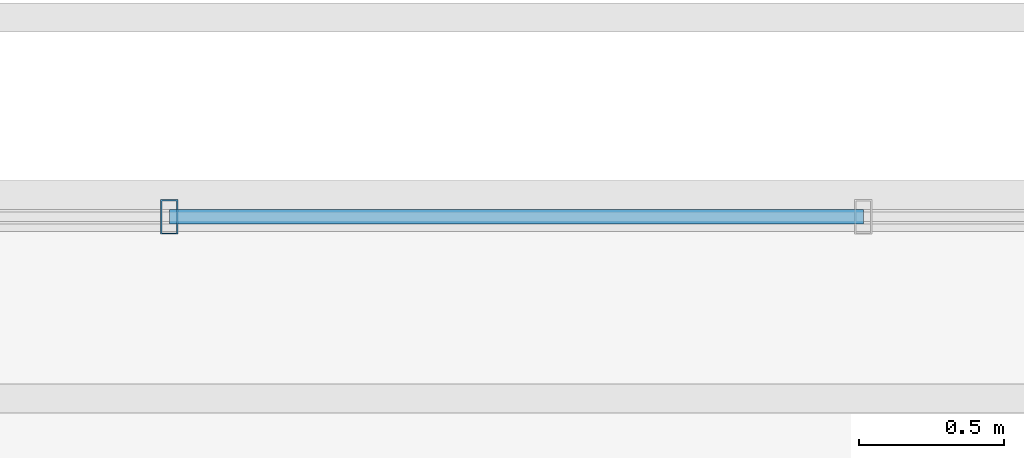
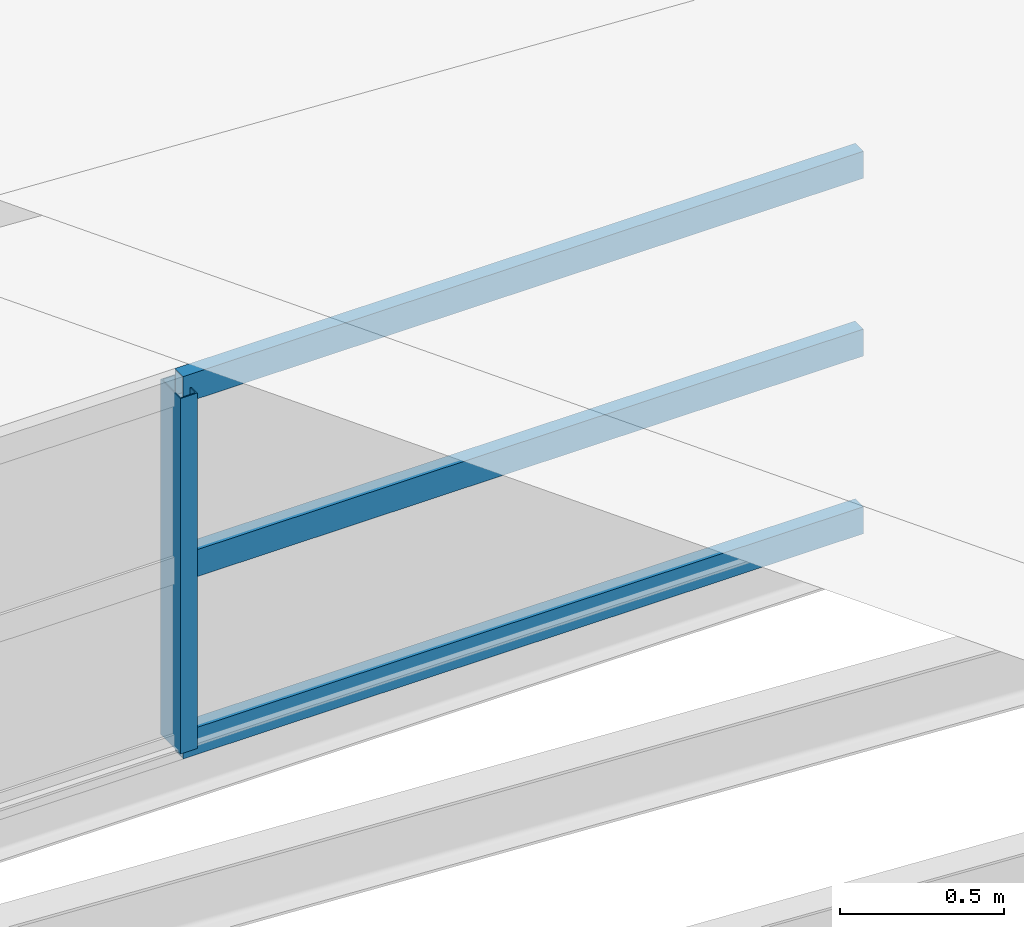
# One storey, part 114 of 141: 4 members, 1 element without a shape of its own.
"""IFC4 building model written with IfcOpenShell, lengths in metres."""

from ifc_helpers import new_model, si_unit, direction, frame, origin, origin_2d, place, context, subcontext, project, spatial, hollow_rectangle, extrude, material, material_profile, profile_set, type_object, element, aggregate, save


model = new_model("IFC4")

# Units and contexts
model_context = context("Model", 3, precision=1e-05, world=origin(), true_north=direction((0.0, 1.0)))
body_context = subcontext(model_context, "Body", "Model", "MODEL_VIEW")
ifc_project = project(units=[si_unit("LENGTHUNIT", "METRE"), si_unit("AREAUNIT", "SQUARE_METRE"), si_unit("VOLUMEUNIT", "CUBIC_METRE"), si_unit("PLANEANGLEUNIT", "RADIAN"), si_unit("MASSUNIT", "GRAM", prefix="KILO")], contexts=[model_context])

# Site, building, storey
site_placement = place(None, origin())
site = spatial("IfcSite", under=ifc_project, at=site_placement, CompositionType="ELEMENT")
building_placement = place(site_placement, origin())
building = spatial("IfcBuilding", under=site, at=building_placement, Name="Sundkrona Museum", CompositionType="ELEMENT")
storey_placement = place(building_placement, frame((0.0, 0.0, 34.0)))
storey = spatial("IfcBuildingStorey", under=building, at=storey_placement, Name="RF", CompositionType="ELEMENT", Elevation=34.0)

# Curtain wall, members
ifc_material_1 = material(Name="Unitised Aluminium-Steel and Ceramic-Clad Curtain Walling", Category="steel")
curtain_wall_type = type_object("IfcCurtainWallType", Name="CW-SW-240x13", PredefinedType="NOTDEFINED", material=ifc_material_1)
curtain_wall_placement = place(storey_placement, origin())
curtain_wall = element("IfcCurtainWall", 1, at=curtain_wall_placement, inside=storey, type_object=curtain_wall_type, Name="Sawtooth Bay 6 East North-Light Clerestory", PredefinedType="NOTDEFINED")
ifc_material_2 = material(Name="Aluminium EN AW-6060 T66", Category="aluminium")
ifc_material_profile_1 = material_profile(ifc_material_2, hollow_rectangle(XDim=0.06005859375, YDim=0.1201171875, WallThickness=0.0048828125, at=origin_2d()), Name="RHS 120x60x5.0")
ifc_profile_set_1 = profile_set([ifc_material_profile_1], Name="Aluminium EN AW-6060 T66")
member_type_1 = type_object("IfcMemberType", Name="ML-120", PredefinedType="MULLION", material=ifc_profile_set_1)
member_1_placement = place(storey_placement, frame((153.610107421875, 42.699951171875, 4.31298828125), z_axis=(0.0, 0.0, 1.0), x_axis=(1.0, 0.0, 0.0)))
member_1 = element("IfcMember", 2, at=member_1_placement, type_object=member_type_1, Name="CW-RF-SAW-06E Mullion 05", PredefinedType="MULLION", context=body_context, shape_type="SweptSolid", body=[
    extrude(hollow_rectangle(XDim=0.06005859375, YDim=0.1201171875, WallThickness=0.0048828125, at=origin_2d()), origin(), (0.0, 0.0, 1.0), 1.320068359375),
])
ifc_material_profile_2 = material_profile(ifc_material_2, hollow_rectangle(XDim=0.050048828125, YDim=0.10009765625, WallThickness=0.0048828125, at=origin_2d()), Name="RHS 100x50x5.0")
ifc_profile_set_2 = profile_set([ifc_material_profile_2], Name="Aluminium EN AW-6060 T66")
member_type_2 = type_object("IfcMemberType", Name="TR-100", PredefinedType="USERDEFINED", material=ifc_profile_set_2)
member_2_placement = place(storey_placement, frame((153.610107421875, 42.699951171875, 4.31298828125), z_axis=(1.0, 0.0, 0.0), x_axis=(0.0, 1.0, 0.0)))
member_2 = element("IfcMember", 3, at=member_2_placement, type_object=member_type_2, Name="CW-RF-SAW-06E Transom 13", ObjectType="TRANSOM", PredefinedType="USERDEFINED", context=body_context, shape_type="SweptSolid", body=[
    extrude(hollow_rectangle(XDim=0.050048828125, YDim=0.10009765625, WallThickness=0.0048828125, at=origin_2d()), origin(), (0.0, 0.0, 1.0), 2.389892578125),
])
member_3_placement = place(storey_placement, frame((153.610107421875, 42.699951171875, 4.972900390625), z_axis=(1.0, 0.0, 0.0), x_axis=(0.0, 1.0, 0.0)))
member_3 = element("IfcMember", 4, at=member_3_placement, type_object=member_type_2, Name="CW-RF-SAW-06E Transom 14", ObjectType="TRANSOM", PredefinedType="USERDEFINED", context=body_context, shape_type="SweptSolid", body=[
    extrude(hollow_rectangle(XDim=0.050048828125, YDim=0.10009765625, WallThickness=0.0048828125, at=origin_2d()), origin(), (0.0, 0.0, 1.0), 2.389892578125),
])
member_4_placement = place(storey_placement, frame((153.610107421875, 42.699951171875, 5.633056640625), z_axis=(1.0, 0.0, 0.0), x_axis=(0.0, 1.0, 0.0)))
member_4 = element("IfcMember", 5, at=member_4_placement, type_object=member_type_2, Name="CW-RF-SAW-06E Transom 15", ObjectType="TRANSOM", PredefinedType="USERDEFINED", context=body_context, shape_type="SweptSolid", body=[
    extrude(hollow_rectangle(XDim=0.050048828125, YDim=0.10009765625, WallThickness=0.0048828125, at=origin_2d()), origin(), (0.0, 0.0, 1.0), 2.389892578125),
])
aggregate(curtain_wall, [member_1, member_2, member_3, member_4])

save(model, "model.ifc")
